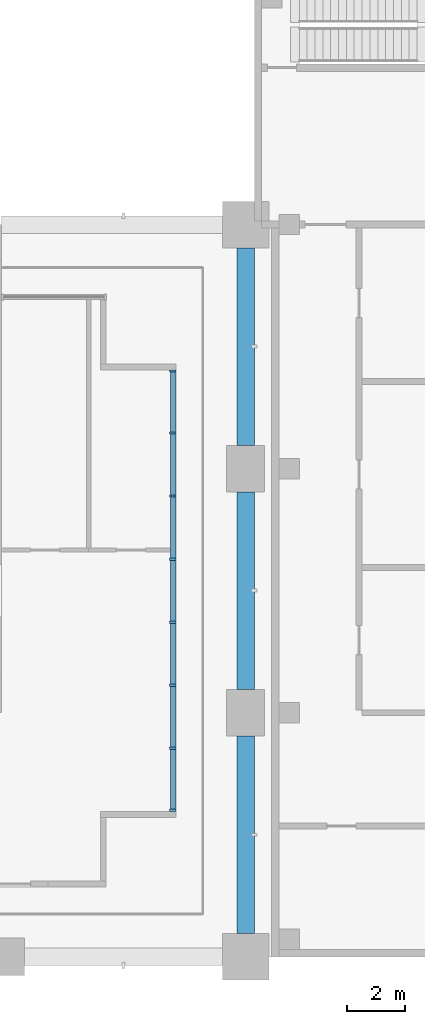
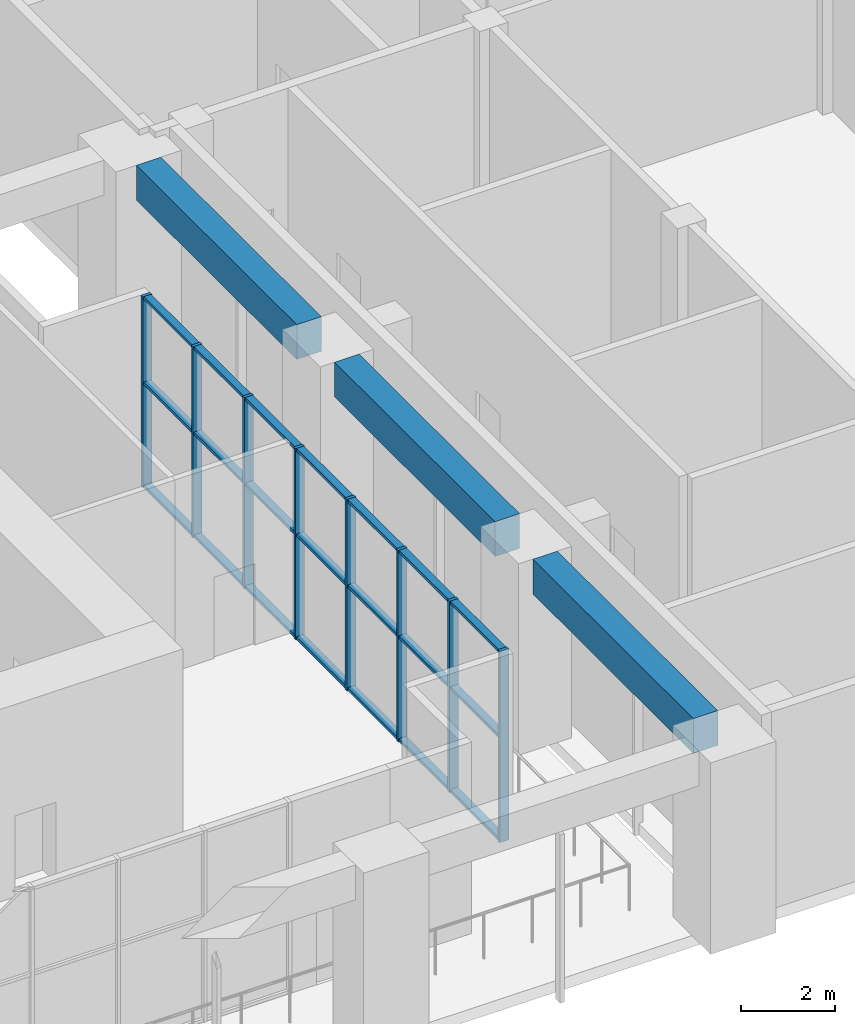
# One storey, part 7 of 26: 29 members, 3 beams, 1 element without a shape of its own.
"""IFC4 building model written with IfcOpenShell, lengths in metres."""

from ifc_helpers import new_model, si_unit, direction, frame, origin, origin_2d, place, context, subcontext, project, spatial, rectangle, extrude, material, material_profile, profile_set, type_object, element, aggregate, save


model = new_model("IFC4")

# Units and contexts
model_context = context("Model", 3, precision=1e-05, world=origin(), true_north=direction((0.0, 1.0)))
body_context = subcontext(model_context, "Body", "Model", "MODEL_VIEW")
ifc_project = project(units=[si_unit("LENGTHUNIT", "METRE"), si_unit("AREAUNIT", "SQUARE_METRE"), si_unit("VOLUMEUNIT", "CUBIC_METRE"), si_unit("PLANEANGLEUNIT", "RADIAN"), si_unit("MASSUNIT", "GRAM", prefix="KILO")], contexts=[model_context])

# Site, building, storey
site_placement = place(None, origin())
site = spatial("IfcSite", under=ifc_project, at=site_placement, CompositionType="ELEMENT")
building_placement = place(site_placement, origin())
building = spatial("IfcBuilding", under=site, at=building_placement, Name="Vermilion Gate Residences", CompositionType="ELEMENT")
storey_placement = place(building_placement, frame((0.0, 0.0, 9.0)))
storey = spatial("IfcBuildingStorey", under=building, at=storey_placement, Name="L01", CompositionType="ELEMENT", Elevation=9.0)

# Curtain wall, members
ifc_material_1 = material(Name="Aluminium and glass", Category="aluminium")
curtain_wall_type = type_object("IfcCurtainWallType", Name="LOBBY ENTRANCE GLAZING CURTAIN WALL", PredefinedType="NOTDEFINED", material=ifc_material_1)
curtain_wall_placement = place(storey_placement, origin())
curtain_wall = element("IfcCurtainWall", 1, at=curtain_wall_placement, inside=storey, type_object=curtain_wall_type, Name="Lobby Entrance Glazing 120", PredefinedType="NOTDEFINED")
ifc_material_2 = material(Name="Aluminium", Category="aluminium")
ifc_material_profile_1 = material_profile(ifc_material_2, rectangle(XDim=0.219970703125, YDim=0.080078125, at=origin_2d()), Name="MULLION 80 X 220")
ifc_profile_set_1 = profile_set([ifc_material_profile_1], Name="Aluminium")
member_type_1 = type_object("IfcMemberType", Name="LOBBY ENTRANCE GLAZING MULLION 80 X 220", PredefinedType="MULLION", material=ifc_profile_set_1)
member_1_placement = place(storey_placement, frame((64.699951171875, 5.0400390625, 0.0), z_axis=(0.0, 0.0, 1.0), x_axis=(-1.0, 0.0, 0.0)))
member_1 = element("IfcMember", 2, at=member_1_placement, type_object=member_type_1, Name="ECW5 mullion 1", PredefinedType="MULLION", context=body_context, shape_type="SweptSolid", body=[
    extrude(rectangle(XDim=0.219970703125, YDim=0.080078125, at=origin_2d()), origin(), (0.0, 0.0, 1.0), 4.949951171875),
])
member_2_placement = place(storey_placement, frame((64.699951171875, 7.17138671875, 0.0), z_axis=(0.0, 0.0, 1.0), x_axis=(-1.0, 0.0, 0.0)))
member_2 = element("IfcMember", 3, at=member_2_placement, type_object=member_type_1, Name="ECW5 mullion 2", PredefinedType="MULLION", context=body_context, shape_type="SweptSolid", body=[
    extrude(rectangle(XDim=0.219970703125, YDim=0.080078125, at=origin_2d()), origin(), (0.0, 0.0, 1.0), 4.949951171875),
])
member_3_placement = place(storey_placement, frame((64.699951171875, 9.3427734375, 0.0), z_axis=(0.0, 0.0, 1.0), x_axis=(-1.0, 0.0, 0.0)))
member_3 = element("IfcMember", 4, at=member_3_placement, type_object=member_type_1, Name="ECW5 mullion 3", PredefinedType="MULLION", context=body_context, shape_type="SweptSolid", body=[
    extrude(rectangle(XDim=0.219970703125, YDim=0.080078125, at=origin_2d()), origin(), (0.0, 0.0, 1.0), 4.949951171875),
])
member_4_placement = place(storey_placement, frame((64.699951171875, 11.514404296875, 0.0), z_axis=(0.0, 0.0, 1.0), x_axis=(-1.0, 0.0, 0.0)))
member_4 = element("IfcMember", 5, at=member_4_placement, type_object=member_type_1, Name="ECW5 mullion 4", PredefinedType="MULLION", context=body_context, shape_type="SweptSolid", body=[
    extrude(rectangle(XDim=0.219970703125, YDim=0.080078125, at=origin_2d()), origin(), (0.0, 0.0, 1.0), 4.949951171875),
])
member_5_placement = place(storey_placement, frame((64.699951171875, 13.685791015625, 0.0), z_axis=(0.0, 0.0, 1.0), x_axis=(-1.0, 0.0, 0.0)))
member_5 = element("IfcMember", 6, at=member_5_placement, type_object=member_type_1, Name="ECW5 mullion 5", PredefinedType="MULLION", context=body_context, shape_type="SweptSolid", body=[
    extrude(rectangle(XDim=0.219970703125, YDim=0.080078125, at=origin_2d()), origin(), (0.0, 0.0, 1.0), 4.949951171875),
])
member_6_placement = place(storey_placement, frame((64.699951171875, 15.857177734375, 0.0), z_axis=(0.0, 0.0, 1.0), x_axis=(-1.0, 0.0, 0.0)))
member_6 = element("IfcMember", 7, at=member_6_placement, type_object=member_type_1, Name="ECW5 mullion 6", PredefinedType="MULLION", context=body_context, shape_type="SweptSolid", body=[
    extrude(rectangle(XDim=0.219970703125, YDim=0.080078125, at=origin_2d()), origin(), (0.0, 0.0, 1.0), 4.949951171875),
])
member_7_placement = place(storey_placement, frame((64.699951171875, 18.028564453125, 0.0), z_axis=(0.0, 0.0, 1.0), x_axis=(-1.0, 0.0, 0.0)))
member_7 = element("IfcMember", 8, at=member_7_placement, type_object=member_type_1, Name="ECW5 mullion 7", PredefinedType="MULLION", context=body_context, shape_type="SweptSolid", body=[
    extrude(rectangle(XDim=0.219970703125, YDim=0.080078125, at=origin_2d()), origin(), (0.0, 0.0, 1.0), 4.949951171875),
])
member_8_placement = place(storey_placement, frame((64.699951171875, 20.159912109375, 0.0), z_axis=(0.0, 0.0, 1.0), x_axis=(-1.0, 0.0, 0.0)))
member_8 = element("IfcMember", 9, at=member_8_placement, type_object=member_type_1, Name="ECW5 mullion 8", PredefinedType="MULLION", context=body_context, shape_type="SweptSolid", body=[
    extrude(rectangle(XDim=0.219970703125, YDim=0.080078125, at=origin_2d()), origin(), (0.0, 0.0, 1.0), 4.949951171875),
])
ifc_material_3 = material(Name="Aluminium", Category="aluminium")
ifc_material_profile_2 = material_profile(ifc_material_3, rectangle(XDim=0.179931640625, YDim=0.080078125, at=origin_2d()), Name="TRANSOM 80 X 180")
ifc_profile_set_2 = profile_set([ifc_material_profile_2], Name="Aluminium")
member_type_2 = type_object("IfcMemberType", Name="LOBBY ENTRANCE GLAZING TRANSOM 80 X 180", PredefinedType="MULLION", material=ifc_profile_set_2)
member_9_placement = place(storey_placement, frame((64.699951171875, 5.080078125, 0.0400390625), z_axis=(0.0, 1.0, 0.0), x_axis=(-1.0, 0.0, 0.0)))
member_9 = element("IfcMember", 10, at=member_9_placement, type_object=member_type_2, Name="ECW5 transom 1.1", PredefinedType="MULLION", context=body_context, shape_type="SweptSolid", body=[
    extrude(rectangle(XDim=0.179931640625, YDim=0.080078125, at=origin_2d()), origin(), (0.0, 0.0, 1.0), 2.05126953125),
])
member_10_placement = place(storey_placement, frame((64.699951171875, 5.080078125, 2.699951171875), z_axis=(0.0, 1.0, 0.0), x_axis=(-1.0, 0.0, 0.0)))
member_10 = element("IfcMember", 11, at=member_10_placement, type_object=member_type_2, Name="ECW5 transom 1.2", PredefinedType="MULLION", context=body_context, shape_type="SweptSolid", body=[
    extrude(rectangle(XDim=0.179931640625, YDim=0.080078125, at=origin_2d()), origin(), (0.0, 0.0, 1.0), 2.05126953125),
])
member_11_placement = place(storey_placement, frame((64.699951171875, 5.080078125, 4.909912109375), z_axis=(0.0, 1.0, 0.0), x_axis=(-1.0, 0.0, 0.0)))
member_11 = element("IfcMember", 12, at=member_11_placement, type_object=member_type_2, Name="ECW5 transom 1.3", PredefinedType="MULLION", context=body_context, shape_type="SweptSolid", body=[
    extrude(rectangle(XDim=0.179931640625, YDim=0.080078125, at=origin_2d()), origin(), (0.0, 0.0, 1.0), 2.05126953125),
])
member_12_placement = place(storey_placement, frame((64.699951171875, 7.21142578125, 0.0400390625), z_axis=(0.0, 1.0, 0.0), x_axis=(-1.0, 0.0, 0.0)))
member_12 = element("IfcMember", 13, at=member_12_placement, type_object=member_type_2, Name="ECW5 transom 2.1", PredefinedType="MULLION", context=body_context, shape_type="SweptSolid", body=[
    extrude(rectangle(XDim=0.179931640625, YDim=0.080078125, at=origin_2d()), origin(), (0.0, 0.0, 1.0), 2.091552734375),
])
member_13_placement = place(storey_placement, frame((64.699951171875, 7.21142578125, 2.699951171875), z_axis=(0.0, 1.0, 0.0), x_axis=(-1.0, 0.0, 0.0)))
member_13 = element("IfcMember", 14, at=member_13_placement, type_object=member_type_2, Name="ECW5 transom 2.2", PredefinedType="MULLION", context=body_context, shape_type="SweptSolid", body=[
    extrude(rectangle(XDim=0.179931640625, YDim=0.080078125, at=origin_2d()), origin(), (0.0, 0.0, 1.0), 2.091552734375),
])
member_14_placement = place(storey_placement, frame((64.699951171875, 7.21142578125, 4.909912109375), z_axis=(0.0, 1.0, 0.0), x_axis=(-1.0, 0.0, 0.0)))
member_14 = element("IfcMember", 15, at=member_14_placement, type_object=member_type_2, Name="ECW5 transom 2.3", PredefinedType="MULLION", context=body_context, shape_type="SweptSolid", body=[
    extrude(rectangle(XDim=0.179931640625, YDim=0.080078125, at=origin_2d()), origin(), (0.0, 0.0, 1.0), 2.091552734375),
])
member_15_placement = place(storey_placement, frame((64.699951171875, 9.3828125, 0.0400390625), z_axis=(0.0, 1.0, 0.0), x_axis=(-1.0, 0.0, 0.0)))
member_15 = element("IfcMember", 16, at=member_15_placement, type_object=member_type_2, Name="ECW5 transom 3.1", PredefinedType="MULLION", context=body_context, shape_type="SweptSolid", body=[
    extrude(rectangle(XDim=0.179931640625, YDim=0.080078125, at=origin_2d()), origin(), (0.0, 0.0, 1.0), 2.091552734375),
])
member_16_placement = place(storey_placement, frame((64.699951171875, 9.3828125, 2.699951171875), z_axis=(0.0, 1.0, 0.0), x_axis=(-1.0, 0.0, 0.0)))
member_16 = element("IfcMember", 17, at=member_16_placement, type_object=member_type_2, Name="ECW5 transom 3.2", PredefinedType="MULLION", context=body_context, shape_type="SweptSolid", body=[
    extrude(rectangle(XDim=0.179931640625, YDim=0.080078125, at=origin_2d()), origin(), (0.0, 0.0, 1.0), 2.091552734375),
])
member_17_placement = place(storey_placement, frame((64.699951171875, 9.3828125, 4.909912109375), z_axis=(0.0, 1.0, 0.0), x_axis=(-1.0, 0.0, 0.0)))
member_17 = element("IfcMember", 18, at=member_17_placement, type_object=member_type_2, Name="ECW5 transom 3.3", PredefinedType="MULLION", context=body_context, shape_type="SweptSolid", body=[
    extrude(rectangle(XDim=0.179931640625, YDim=0.080078125, at=origin_2d()), origin(), (0.0, 0.0, 1.0), 2.091552734375),
])
member_18_placement = place(storey_placement, frame((64.699951171875, 11.55419921875, 0.0400390625), z_axis=(0.0, 1.0, 0.0), x_axis=(-1.0, 0.0, 0.0)))
member_18 = element("IfcMember", 19, at=member_18_placement, type_object=member_type_2, Name="ECW5 transom 4.1", PredefinedType="MULLION", context=body_context, shape_type="SweptSolid", body=[
    extrude(rectangle(XDim=0.179931640625, YDim=0.080078125, at=origin_2d()), origin(), (0.0, 0.0, 1.0), 2.091552734375),
])
member_19_placement = place(storey_placement, frame((64.699951171875, 11.55419921875, 2.699951171875), z_axis=(0.0, 1.0, 0.0), x_axis=(-1.0, 0.0, 0.0)))
member_19 = element("IfcMember", 20, at=member_19_placement, type_object=member_type_2, Name="ECW5 transom 4.2", PredefinedType="MULLION", context=body_context, shape_type="SweptSolid", body=[
    extrude(rectangle(XDim=0.179931640625, YDim=0.080078125, at=origin_2d()), origin(), (0.0, 0.0, 1.0), 2.091552734375),
])
member_20_placement = place(storey_placement, frame((64.699951171875, 11.55419921875, 4.909912109375), z_axis=(0.0, 1.0, 0.0), x_axis=(-1.0, 0.0, 0.0)))
member_20 = element("IfcMember", 21, at=member_20_placement, type_object=member_type_2, Name="ECW5 transom 4.3", PredefinedType="MULLION", context=body_context, shape_type="SweptSolid", body=[
    extrude(rectangle(XDim=0.179931640625, YDim=0.080078125, at=origin_2d()), origin(), (0.0, 0.0, 1.0), 2.091552734375),
])
member_21_placement = place(storey_placement, frame((64.699951171875, 13.725830078125, 0.0400390625), z_axis=(0.0, 1.0, 0.0), x_axis=(-1.0, 0.0, 0.0)))
member_21 = element("IfcMember", 22, at=member_21_placement, type_object=member_type_2, Name="ECW5 transom 5.1", PredefinedType="MULLION", context=body_context, shape_type="SweptSolid", body=[
    extrude(rectangle(XDim=0.179931640625, YDim=0.080078125, at=origin_2d()), origin(), (0.0, 0.0, 1.0), 2.09130859375),
])
member_22_placement = place(storey_placement, frame((64.699951171875, 13.725830078125, 2.699951171875), z_axis=(0.0, 1.0, 0.0), x_axis=(-1.0, 0.0, 0.0)))
member_22 = element("IfcMember", 23, at=member_22_placement, type_object=member_type_2, Name="ECW5 transom 5.2", PredefinedType="MULLION", context=body_context, shape_type="SweptSolid", body=[
    extrude(rectangle(XDim=0.179931640625, YDim=0.080078125, at=origin_2d()), origin(), (0.0, 0.0, 1.0), 2.09130859375),
])
member_23_placement = place(storey_placement, frame((64.699951171875, 13.725830078125, 4.909912109375), z_axis=(0.0, 1.0, 0.0), x_axis=(-1.0, 0.0, 0.0)))
member_23 = element("IfcMember", 24, at=member_23_placement, type_object=member_type_2, Name="ECW5 transom 5.3", PredefinedType="MULLION", context=body_context, shape_type="SweptSolid", body=[
    extrude(rectangle(XDim=0.179931640625, YDim=0.080078125, at=origin_2d()), origin(), (0.0, 0.0, 1.0), 2.09130859375),
])
member_24_placement = place(storey_placement, frame((64.699951171875, 15.897216796875, 0.0400390625), z_axis=(0.0, 1.0, 0.0), x_axis=(-1.0, 0.0, 0.0)))
member_24 = element("IfcMember", 25, at=member_24_placement, type_object=member_type_2, Name="ECW5 transom 6.1", PredefinedType="MULLION", context=body_context, shape_type="SweptSolid", body=[
    extrude(rectangle(XDim=0.179931640625, YDim=0.080078125, at=origin_2d()), origin(), (0.0, 0.0, 1.0), 2.09130859375),
])
member_25_placement = place(storey_placement, frame((64.699951171875, 15.897216796875, 2.699951171875), z_axis=(0.0, 1.0, 0.0), x_axis=(-1.0, 0.0, 0.0)))
member_25 = element("IfcMember", 26, at=member_25_placement, type_object=member_type_2, Name="ECW5 transom 6.2", PredefinedType="MULLION", context=body_context, shape_type="SweptSolid", body=[
    extrude(rectangle(XDim=0.179931640625, YDim=0.080078125, at=origin_2d()), origin(), (0.0, 0.0, 1.0), 2.09130859375),
])
member_26_placement = place(storey_placement, frame((64.699951171875, 15.897216796875, 4.909912109375), z_axis=(0.0, 1.0, 0.0), x_axis=(-1.0, 0.0, 0.0)))
member_26 = element("IfcMember", 27, at=member_26_placement, type_object=member_type_2, Name="ECW5 transom 6.3", PredefinedType="MULLION", context=body_context, shape_type="SweptSolid", body=[
    extrude(rectangle(XDim=0.179931640625, YDim=0.080078125, at=origin_2d()), origin(), (0.0, 0.0, 1.0), 2.09130859375),
])
member_27_placement = place(storey_placement, frame((64.699951171875, 18.068603515625, 0.0400390625), z_axis=(0.0, 1.0, 0.0), x_axis=(-1.0, 0.0, 0.0)))
member_27 = element("IfcMember", 28, at=member_27_placement, type_object=member_type_2, Name="ECW5 transom 7.1", PredefinedType="MULLION", context=body_context, shape_type="SweptSolid", body=[
    extrude(rectangle(XDim=0.179931640625, YDim=0.080078125, at=origin_2d()), origin(), (0.0, 0.0, 1.0), 2.051513671875),
])
member_28_placement = place(storey_placement, frame((64.699951171875, 18.068603515625, 2.699951171875), z_axis=(0.0, 1.0, 0.0), x_axis=(-1.0, 0.0, 0.0)))
member_28 = element("IfcMember", 29, at=member_28_placement, type_object=member_type_2, Name="ECW5 transom 7.2", PredefinedType="MULLION", context=body_context, shape_type="SweptSolid", body=[
    extrude(rectangle(XDim=0.179931640625, YDim=0.080078125, at=origin_2d()), origin(), (0.0, 0.0, 1.0), 2.051513671875),
])
member_29_placement = place(storey_placement, frame((64.699951171875, 18.068603515625, 4.909912109375), z_axis=(0.0, 1.0, 0.0), x_axis=(-1.0, 0.0, 0.0)))
member_29 = element("IfcMember", 30, at=member_29_placement, type_object=member_type_2, Name="ECW5 transom 7.3", PredefinedType="MULLION", context=body_context, shape_type="SweptSolid", body=[
    extrude(rectangle(XDim=0.179931640625, YDim=0.080078125, at=origin_2d()), origin(), (0.0, 0.0, 1.0), 2.051513671875),
])
aggregate(curtain_wall, [member_1, member_2, member_3, member_4, member_5, member_6, member_7, member_8, member_9, member_10, member_11, member_12, member_13, member_14, member_15, member_16, member_17, member_18, member_19, member_20, member_21, member_22, member_23, member_24, member_25, member_26, member_27, member_28, member_29])

# Beams
ifc_material_4 = material(Name="Concrete C60 red-oxide pigmented", Category="concrete")
ifc_material_profile_3 = material_profile(ifc_material_4, rectangle(XDim=0.60009765625, YDim=0.89990234375, at=origin_2d()), Name="RC-600x900")
ifc_profile_set_3 = profile_set([ifc_material_profile_3], Name="Concrete C60 red-oxide pigmented")
beam_type = type_object("IfcBeamType", Name="RC EDGE BEAM 600 X 900 C60", PredefinedType="BEAM", material=ifc_profile_set_3)
for number, where, z_axis, x_axis, name in (
    (31, (67.199951171875, 0.800048828125, 4.5), (0.0, 1.0, 0.0), (-1.0, 0.0, 0.0), "Edge beam L01 17"),
    (32, (67.199951171875, 9.199951171875, 4.5), (0.0, 1.0, 0.0), (-1.0, 0.0, 0.0), "Edge beam L01 18"),
):
    element("IfcBeam", number, at=place(storey_placement, frame(where, z_axis=z_axis, x_axis=x_axis)), inside=storey, type_object=beam_type, Name=name, PredefinedType="BEAM", context=body_context, shape_type="SweptSolid", body=[
        extrude(rectangle(XDim=0.60009765625, YDim=0.89990234375, at=origin_2d()), origin(), (0.0, 0.0, 1.0), 6.800048828125),
    ])
beam_placement = place(storey_placement, frame((67.199951171875, 17.60009765625, 4.5), z_axis=(0.0, 1.0, 0.0), x_axis=(-1.0, 0.0, 0.0)))
element("IfcBeam", 33, at=beam_placement, inside=storey, type_object=beam_type, Name="Edge beam L01 19", PredefinedType="BEAM", context=body_context, shape_type="SweptSolid", body=[
    extrude(rectangle(XDim=0.60009765625, YDim=0.89990234375, at=origin_2d()), origin(), (0.0, 0.0, 1.0), 6.7998046875),
])

save(model, "model.ifc")
